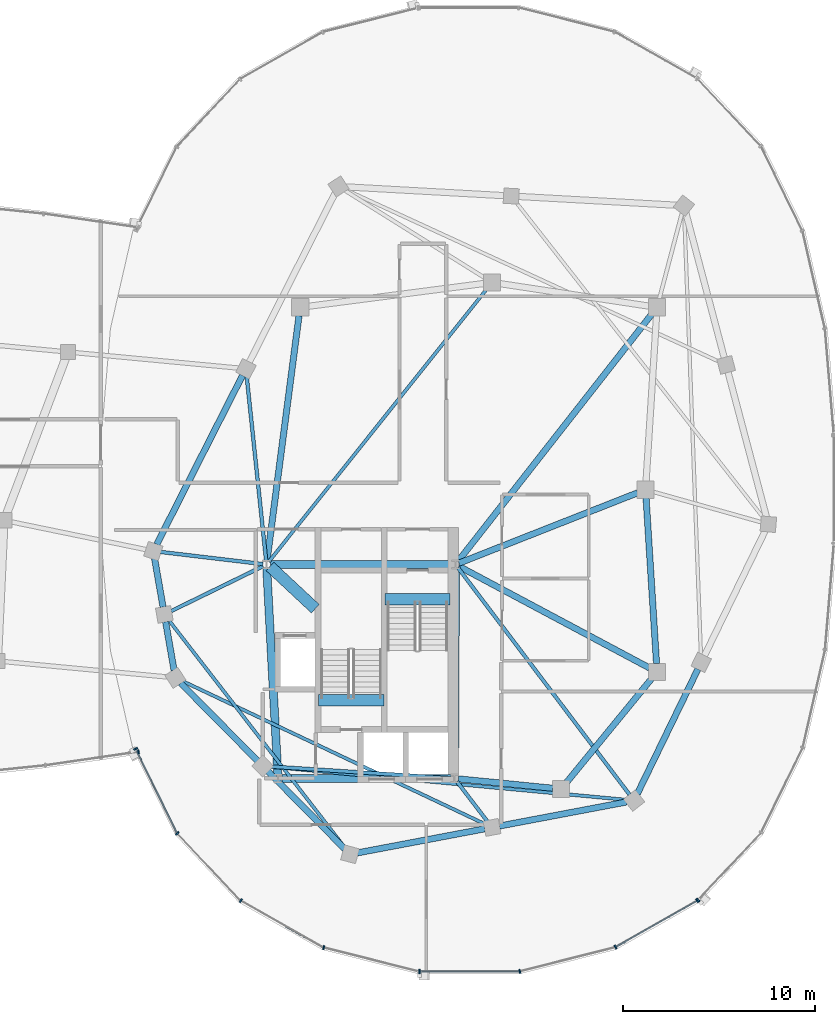
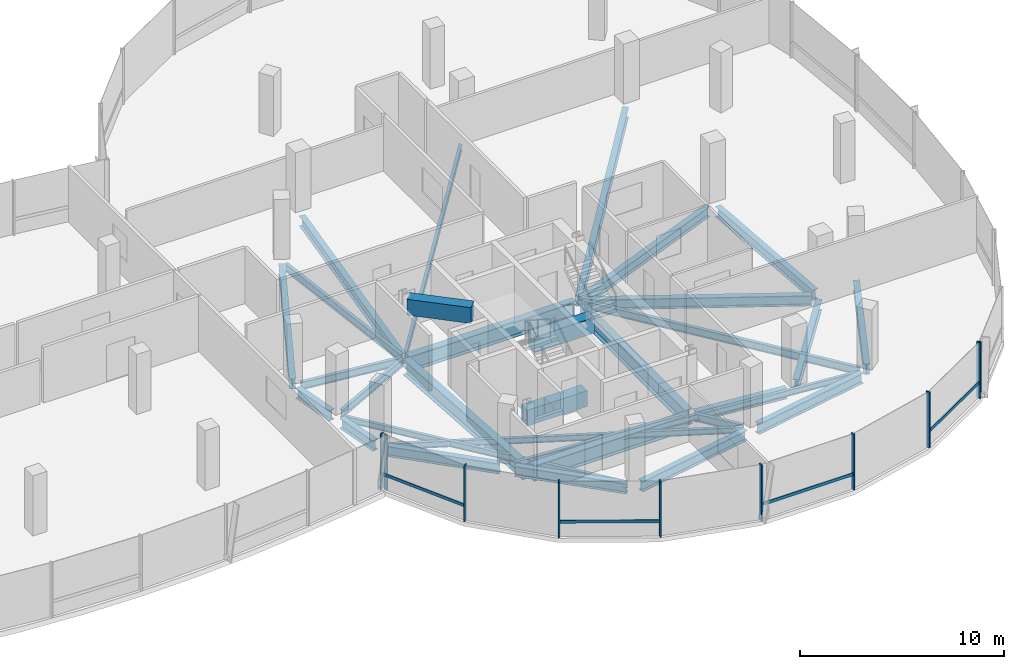
# One storey, part 8 of 25: 32 beams, 14 members, 3 elements without a shape of their own.
"""IFC4 building model written with IfcOpenShell, lengths in metres."""

from ifc_helpers import new_model, si_unit, direction, frame, origin, origin_2d, place, context, subcontext, project, spatial, rectangle, i_section, extrude, material, material_profile, profile_set, type_object, element, aggregate, save


model = new_model("IFC4")

# Units and contexts
model_context = context("Model", 3, precision=1e-05, world=origin(), true_north=direction((0.0, 1.0)))
body_context = subcontext(model_context, "Body", "Model", "MODEL_VIEW")
ifc_project = project(units=[si_unit("LENGTHUNIT", "METRE"), si_unit("AREAUNIT", "SQUARE_METRE"), si_unit("VOLUMEUNIT", "CUBIC_METRE"), si_unit("PLANEANGLEUNIT", "RADIAN"), si_unit("MASSUNIT", "GRAM", prefix="KILO"), si_unit("THERMODYNAMICTEMPERATUREUNIT", "KELVIN"), si_unit("POWERUNIT", "WATT")], contexts=[model_context])

# Site, building, storey
site_placement = place(None, origin())
site = spatial("IfcSite", under=ifc_project, at=site_placement, CompositionType="ELEMENT")
building_placement = place(site_placement, origin())
building = spatial("IfcBuilding", under=site, at=building_placement, Name="Cundina Bronze Exchange", CompositionType="ELEMENT")
storey_placement = place(building_placement, frame((0.0, 0.0, 257.60009765625)))
storey = spatial("IfcBuildingStorey", under=building, at=storey_placement, Name="L68", CompositionType="ELEMENT", Elevation=257.60009765625)

# Beams
ifc_material_1 = material(Name="Concrete C60/75", Category="concrete")
ifc_material_profile_1 = material_profile(ifc_material_1, rectangle(XDim=0.60009765625, YDim=0.949951171875, at=origin_2d()), Name="RC600X950", Category="concrete")
ifc_profile_set_1 = profile_set([ifc_material_profile_1], Name="Concrete C60/75")
beam_type_1 = type_object("IfcBeamType", Name="BM-COUP-RC950", PredefinedType="LINTEL", material=ifc_profile_set_1)
beam_1_placement = place(storey_placement, frame((27.6201171875, -5.719970703125, -0.47509765625), z_axis=(1.0, 0.0, 0.0), x_axis=(0.0, 1.0, 0.0)))
element("IfcBeam", 1, at=beam_1_placement, inside=storey, type_object=beam_type_1, Name="L68 Stair E1 Landing Header Beam", PredefinedType="LINTEL", context=body_context, shape_type="SweptSolid", body=[
    extrude(rectangle(XDim=0.60009765625, YDim=0.949951171875, at=origin_2d()), origin(), (0.0, 0.0, 1.0), 3.39990234375),
])
beam_2_placement = place(storey_placement, frame((24.159912109375, -10.97998046875, -0.47509765625), z_axis=(1.0, 0.0, 0.0), x_axis=(0.0, 1.0, 0.0)))
element("IfcBeam", 2, at=beam_2_placement, inside=storey, type_object=beam_type_1, Name="L68 Stair E2 Landing Header Beam", PredefinedType="LINTEL", context=body_context, shape_type="SweptSolid", body=[
    extrude(rectangle(XDim=0.60009765625, YDim=0.949951171875, at=origin_2d()), origin(), (0.0, 0.0, 1.0), 3.400146484375),
])
beam_3_placement = place(storey_placement, frame((21.6298828125, -4.0, 2.864990234375), z_axis=(0.731490439815, -0.681851696822, 0.0), x_axis=(0.681851696822, 0.731490439815, 0.0)))
element("IfcBeam", 3, at=beam_3_placement, inside=storey, type_object=beam_type_1, Name="L68 E Core Shear Coupling Lintel Beam", PredefinedType="LINTEL", context=body_context, shape_type="SweptSolid", body=[
    extrude(rectangle(XDim=0.60009765625, YDim=0.949951171875, at=origin_2d()), origin(), (0.0, 0.0, 1.0), 3.226318359375),
])
ifc_material_2 = material(Name="Steel ASTM A992 Grade 50", Category="steel")
ifc_material_profile_2 = material_profile(ifc_material_2, i_section(OverallWidth=0.19091796875, OverallDepth=0.4599609375, WebThickness=0.010009765625, FlangeThickness=0.01611328125, FilletRadius=0.011962890625, at=origin_2d()), Name="W18X55", Category="steel")
ifc_profile_set_2 = profile_set([ifc_material_profile_2], Name="Steel ASTM A992 Grade 50")
beam_type_2 = type_object("IfcBeamType", Name="BM-FLR-W18B", PredefinedType="BEAM", material=ifc_profile_set_2)
beam_4_placement = place(storey_placement, frame((21.25537109375, -3.876953125, -0.489990234375), z_axis=(-0.993031892142, 0.117845921393, 0.0), x_axis=(-0.117845921393, -0.993031892142, 0.0)))
element("IfcBeam", 4, at=beam_4_placement, inside=storey, type_object=beam_type_2, Name="L68 Leg E Chordal Floor Beam 00", PredefinedType="BEAM", context=body_context, shape_type="SweptSolid", body=[
    extrude(i_section(OverallWidth=0.19091796875, OverallDepth=0.4599609375, WebThickness=0.010009765625, FlangeThickness=0.01611328125, FilletRadius=0.011962890625, at=origin_2d()), origin(), (0.0, 0.0, 1.0), 5.357421875),
])
beam_5_placement = place(storey_placement, frame((21.27392578125, -3.986083984375, -0.489990234375), z_axis=(-0.898610260891, -0.438747762412, 0.0), x_axis=(0.438747762412, -0.898610260891, 0.0)))
element("IfcBeam", 5, at=beam_5_placement, inside=storey, type_object=beam_type_2, Name="L68 Leg E Chordal Floor Beam 01", PredefinedType="BEAM", context=body_context, shape_type="SweptSolid", body=[
    extrude(i_section(OverallWidth=0.19091796875, OverallDepth=0.4599609375, WebThickness=0.010009765625, FlangeThickness=0.01611328125, FilletRadius=0.011962890625, at=origin_2d()), origin(), (0.0, 0.0, 1.0), 5.341796875),
])
beam_6_placement = place(storey_placement, frame((31.054443359375, -15.037353515625, -0.489990234375), z_axis=(-0.997894580734, 0.064856809527, 0.0), x_axis=(-0.064856809527, -0.997894580734, 0.0)))
element("IfcBeam", 6, at=beam_6_placement, inside=storey, type_object=beam_type_2, Name="L68 Leg E Chordal Floor Beam 03", PredefinedType="BEAM", context=body_context, shape_type="SweptSolid", body=[
    extrude(i_section(OverallWidth=0.19091796875, OverallDepth=0.4599609375, WebThickness=0.010009765625, FlangeThickness=0.01611328125, FilletRadius=0.011962890625, at=origin_2d()), origin(), (0.0, 0.0, 1.0), 9.43701171875),
])
beam_7_placement = place(storey_placement, frame((31.369140625, -15.205810546875, -0.489990234375), z_axis=(0.607470812638, -0.794341999263, 0.0), x_axis=(0.794341999263, 0.607470812638, 0.0)))
element("IfcBeam", 7, at=beam_7_placement, inside=storey, type_object=beam_type_2, Name="L68 Leg E Chordal Floor Beam 05", PredefinedType="BEAM", context=body_context, shape_type="SweptSolid", body=[
    extrude(i_section(OverallWidth=0.19091796875, OverallDepth=0.4599609375, WebThickness=0.010009765625, FlangeThickness=0.01611328125, FilletRadius=0.011962890625, at=origin_2d()), origin(), (0.0, 0.0, 1.0), 2.6259765625),
])
beam_8_placement = place(storey_placement, frame((31.418212890625, -4.056396484375, -0.489990234375), z_axis=(0.603112871583, -0.797655855699, 0.0), x_axis=(0.797655855699, 0.603112871583, 0.0)))
element("IfcBeam", 8, at=beam_8_placement, inside=storey, type_object=beam_type_2, Name="L68 Leg E Chordal Floor Beam 06", PredefinedType="BEAM", context=body_context, shape_type="SweptSolid", body=[
    extrude(i_section(OverallWidth=0.19091796875, OverallDepth=0.4599609375, WebThickness=0.010009765625, FlangeThickness=0.01611328125, FilletRadius=0.011962890625, at=origin_2d()), origin(), (0.0, 0.0, 1.0), 14.8359375),
])
beam_9_placement = place(storey_placement, frame((21.429443359375, -3.705078125, -0.489990234375), z_axis=(-0.10480040809, 0.994493275223, 0.0), x_axis=(-0.994493275223, -0.10480040809, 0.0)))
element("IfcBeam", 9, at=beam_9_placement, inside=storey, type_object=beam_type_2, Name="L68 Leg E Chordal Floor Beam 13", PredefinedType="BEAM", context=body_context, shape_type="SweptSolid", body=[
    extrude(i_section(OverallWidth=0.19091796875, OverallDepth=0.4599609375, WebThickness=0.010009765625, FlangeThickness=0.01611328125, FilletRadius=0.011962890625, at=origin_2d()), origin(), (0.0, 0.0, 1.0), 9.67236328125),
])
ifc_material_profile_3 = material_profile(ifc_material_2, i_section(OverallWidth=0.172119140625, OverallDepth=0.35791015625, WebThickness=0.0078125, FlangeThickness=0.01318359375, FilletRadius=0.010009765625, at=origin_2d()), Name="W14X38", Category="steel")
ifc_profile_set_3 = profile_set([ifc_material_profile_3], Name="Steel ASTM A992 Grade 50")
beam_type_3 = type_object("IfcBeamType", Name="BM-JST-W14", PredefinedType="JOIST", material=ifc_profile_set_3)
beam_10_placement = place(storey_placement, frame((21.572509765625, -3.746826171875, -0.439208984375), z_axis=(0.624364266872, 0.781133319129, 0.0), x_axis=(-0.781133319129, 0.624364266872, 0.0)))
element("IfcBeam", 10, at=beam_10_placement, inside=storey, type_object=beam_type_3, Name="L68 E Interior Core-to-Ring Joist 2", PredefinedType="JOIST", context=body_context, shape_type="SweptSolid", body=[
    extrude(i_section(OverallWidth=0.172119140625, OverallDepth=0.35791015625, WebThickness=0.0078125, FlangeThickness=0.01318359375, FilletRadius=0.010009765625, at=origin_2d()), origin(), (0.0, 0.0, 1.0), 18.184814453125),
])
beam_11_placement = place(storey_placement, frame((16.362548828125, -6.806884765625, -0.439208984375), z_axis=(0.612077855816, -0.790797507849, 0.0), x_axis=(0.790797507849, 0.612077855816, 0.0)))
element("IfcBeam", 11, at=beam_11_placement, inside=storey, type_object=beam_type_3, Name="L68 Leg E Lobe Floor Joist 01-04", PredefinedType="JOIST", context=body_context, shape_type="SweptSolid", body=[
    extrude(i_section(OverallWidth=0.172119140625, OverallDepth=0.35791015625, WebThickness=0.0078125, FlangeThickness=0.01318359375, FilletRadius=0.010009765625, at=origin_2d()), origin(), (0.0, 0.0, 1.0), 15.03076171875),
])
beam_12_placement = place(storey_placement, frame((17.05078125, -9.9658203125, -0.439208984375), z_axis=(0.904073247994, -0.427377540661, 0.0), x_axis=(0.427377540661, 0.904073247994, 0.0)))
element("IfcBeam", 12, at=beam_12_placement, inside=storey, type_object=beam_type_3, Name="L68 Leg E Lobe Floor Joist 02-05", PredefinedType="JOIST", context=body_context, shape_type="SweptSolid", body=[
    extrude(i_section(OverallWidth=0.172119140625, OverallDepth=0.35791015625, WebThickness=0.0078125, FlangeThickness=0.01318359375, FilletRadius=0.010009765625, at=origin_2d()), origin(), (0.0, 0.0, 1.0), 17.474609375),
])
beam_13_placement = place(storey_placement, frame((21.63623046875, -14.435791015625, -0.439208984375), z_axis=(0.995700514338, -0.092630911398, 0.0), x_axis=(0.092630911398, 0.995700514338, 0.0)))
element("IfcBeam", 13, at=beam_13_placement, inside=storey, type_object=beam_type_3, Name="L68 Leg E Lobe Floor Joist 03-06", PredefinedType="JOIST", context=body_context, shape_type="SweptSolid", body=[
    extrude(i_section(OverallWidth=0.172119140625, OverallDepth=0.35791015625, WebThickness=0.0078125, FlangeThickness=0.01318359375, FilletRadius=0.010009765625, at=origin_2d()), origin(), (0.0, 0.0, 1.0), 18.65771484375),
])
ifc_material_profile_4 = material_profile(ifc_material_2, i_section(OverallWidth=0.324951171875, OverallDepth=0.615966796875, WebThickness=0.013916015625, FlangeThickness=0.021484375, FilletRadius=0.01611328125, at=origin_2d()), Name="W24X117", Category="steel")
ifc_profile_set_4 = profile_set([ifc_material_profile_4], Name="Steel ASTM A992 Grade 50")
beam_type_4 = type_object("IfcBeamType", Name="BM-RING-W24", PredefinedType="USERDEFINED", material=ifc_profile_set_4)
beam_14_placement = place(storey_placement, frame((31.445068359375, -15.0693359375, -0.568115234375), z_axis=(0.995123854478, -0.09863323096, 0.0), x_axis=(0.09863323096, 0.995123854478, 0.0)))
element("IfcBeam", 14, at=beam_14_placement, inside=storey, type_object=beam_type_4, Name="L68 E Inner Structural Ring Girder 01", ObjectType="GIRDER", PredefinedType="USERDEFINED", context=body_context, shape_type="SweptSolid", body=[
    extrude(i_section(OverallWidth=0.324951171875, OverallDepth=0.615966796875, WebThickness=0.013916015625, FlangeThickness=0.021484375, FilletRadius=0.01611328125, at=origin_2d()), origin(), (0.0, 0.0, 1.0), 4.943115234375),
])
beam_15_placement = place(storey_placement, frame((37.07763671875, -15.26123046875, -0.568115234375), z_axis=(0.633912590175, 0.77340469873, 0.0), x_axis=(-0.77340469873, 0.633912590175, 0.0)))
element("IfcBeam", 15, at=beam_15_placement, inside=storey, type_object=beam_type_4, Name="L68 E Inner Structural Ring Girder 02", ObjectType="GIRDER", PredefinedType="USERDEFINED", context=body_context, shape_type="SweptSolid", body=[
    extrude(i_section(OverallWidth=0.324951171875, OverallDepth=0.615966796875, WebThickness=0.013916015625, FlangeThickness=0.021484375, FilletRadius=0.01611328125, at=origin_2d()), origin(), (0.0, 0.0, 1.0), 7.01123046875),
])
beam_16_placement = place(storey_placement, frame((41.7724609375, -9.06298828125, -0.568115234375), z_axis=(-0.063046519736, 0.998010589297, 0.0), x_axis=(-0.998010589297, -0.063046519736, 0.0)))
element("IfcBeam", 16, at=beam_16_placement, inside=storey, type_object=beam_type_4, Name="L68 E Inner Structural Ring Girder 03", ObjectType="GIRDER", PredefinedType="USERDEFINED", context=body_context, shape_type="SweptSolid", body=[
    extrude(i_section(OverallWidth=0.324951171875, OverallDepth=0.615966796875, WebThickness=0.013916015625, FlangeThickness=0.021484375, FilletRadius=0.01611328125, at=origin_2d()), origin(), (0.0, 0.0, 1.0), 8.64306640625),
])
beam_17_placement = place(storey_placement, frame((23.143310546875, 9.065673828125, -0.568115234375), z_axis=(-0.129501251979, -0.991579258424, 0.0), x_axis=(0.991579258424, -0.129501251979, 0.0)))
element("IfcBeam", 17, at=beam_17_placement, inside=storey, type_object=beam_type_4, Name="L68 E Inner Structural Ring Girder 07", ObjectType="GIRDER", PredefinedType="USERDEFINED", context=body_context, shape_type="SweptSolid", body=[
    extrude(i_section(OverallWidth=0.324951171875, OverallDepth=0.615966796875, WebThickness=0.013916015625, FlangeThickness=0.021484375, FilletRadius=0.01611328125, at=origin_2d()), origin(), (0.0, 0.0, 1.0), 12.8798828125),
])
beam_18_placement = place(storey_placement, frame((31.482421875, -3.828125, -0.568115234375), z_axis=(0.930404106569, 0.366535398673, 0.0), x_axis=(-0.366535398673, 0.930404106569, 0.0)))
element("IfcBeam", 18, at=beam_18_placement, inside=storey, type_object=beam_type_4, Name="L68 E Core-to-Waist Tie Beam 1", ObjectType="GIRDER", PredefinedType="USERDEFINED", context=body_context, shape_type="SweptSolid", body=[
    extrude(i_section(OverallWidth=0.324951171875, OverallDepth=0.615966796875, WebThickness=0.013916015625, FlangeThickness=0.021484375, FilletRadius=0.01611328125, at=origin_2d()), origin(), (0.0, 0.0, 1.0), 10.00634765625),
])
beam_19_placement = place(storey_placement, frame((31.472900390625, -3.9921875, -0.568115234375), z_axis=(0.882350541683, -0.470592734317, 0.0), x_axis=(0.470592734317, 0.882350541683, 0.0)))
element("IfcBeam", 19, at=beam_19_placement, inside=storey, type_object=beam_type_4, Name="L68 E Core-to-Waist Tie Beam 2", ObjectType="GIRDER", PredefinedType="USERDEFINED", context=body_context, shape_type="SweptSolid", body=[
    extrude(i_section(OverallWidth=0.324951171875, OverallDepth=0.615966796875, WebThickness=0.013916015625, FlangeThickness=0.021484375, FilletRadius=0.01611328125, at=origin_2d()), origin(), (0.0, 0.0, 1.0), 11.26611328125),
])
beam_20_placement = place(storey_placement, frame((31.4208984375, -3.74560546875, -0.568115234375), z_axis=(0.616782900053, 0.787133314123, 0.0), x_axis=(-0.787133314123, 0.616782900053, 0.0)))
element("IfcBeam", 20, at=beam_20_placement, inside=storey, type_object=beam_type_4, Name="L68 E Core-to-Waist Tie Beam 3", ObjectType="GIRDER", PredefinedType="USERDEFINED", context=body_context, shape_type="SweptSolid", body=[
    extrude(i_section(OverallWidth=0.324951171875, OverallDepth=0.615966796875, WebThickness=0.013916015625, FlangeThickness=0.021484375, FilletRadius=0.01611328125, at=origin_2d()), origin(), (0.0, 0.0, 1.0), 16.3896484375),
])
for number, where, z_axis, x_axis, name in (
    (21, (15.61669921875, -3.582275390625, -0.568115234375), (0.171593362587, -0.985167862811, 0.0), (0.985167862811, 0.171593362587, 0.0), "L68 E Perimeter Ring Girder 00"),
    (22, (16.191650390625, -6.882080078125, -0.568115234375), (0.171593362587, -0.985167862811, 0.0), (0.985167862811, 0.171593362587, 0.0), "L68 E Perimeter Ring Girder 01"),
):
    element("IfcBeam", number, at=place(storey_placement, frame(where, z_axis=z_axis, x_axis=x_axis)), inside=storey, type_object=beam_type_4, Name=name, ObjectType="GIRDER", PredefinedType="USERDEFINED", context=body_context, shape_type="SweptSolid", body=[
        extrude(i_section(OverallWidth=0.324951171875, OverallDepth=0.615966796875, WebThickness=0.013916015625, FlangeThickness=0.021484375, FilletRadius=0.01611328125, at=origin_2d()), origin(), (0.0, 0.0, 1.0), 2.57373046875),
    ])
beam_21_placement = place(storey_placement, frame((16.972900390625, -10.075927734375, -0.568115234375), z_axis=(0.703237257446, -0.710955244541, 0.0), x_axis=(0.710955244541, 0.703237257446, 0.0)))
element("IfcBeam", 23, at=beam_21_placement, inside=storey, type_object=beam_type_4, Name="L68 E Perimeter Ring Girder 02", ObjectType="GIRDER", PredefinedType="USERDEFINED", context=body_context, shape_type="SweptSolid", body=[
    extrude(i_section(OverallWidth=0.324951171875, OverallDepth=0.615966796875, WebThickness=0.013916015625, FlangeThickness=0.021484375, FilletRadius=0.01611328125, at=origin_2d()), origin(), (0.0, 0.0, 1.0), 5.69384765625),
])
beam_22_placement = place(storey_placement, frame((21.52294921875, -14.67578125, -0.568115234375), z_axis=(0.703215820204, -0.710976448425, 0.0), x_axis=(0.710976448425, 0.703215820204, 0.0)))
element("IfcBeam", 24, at=beam_22_placement, inside=storey, type_object=beam_type_4, Name="L68 E Perimeter Ring Girder 03", ObjectType="GIRDER", PredefinedType="USERDEFINED", context=body_context, shape_type="SweptSolid", body=[
    extrude(i_section(OverallWidth=0.324951171875, OverallDepth=0.615966796875, WebThickness=0.013916015625, FlangeThickness=0.021484375, FilletRadius=0.01611328125, at=origin_2d()), origin(), (0.0, 0.0, 1.0), 5.694091796875),
])
beam_23_placement = place(storey_placement, frame((26.18115234375, -18.927978515625, -0.568115234375), z_axis=(0.982568104771, 0.185902984072, 0.0), x_axis=(-0.185902984072, 0.982568104771, 0.0)))
element("IfcBeam", 25, at=beam_23_placement, inside=storey, type_object=beam_type_4, Name="L68 E Perimeter Ring Girder 04", ObjectType="GIRDER", PredefinedType="USERDEFINED", context=body_context, shape_type="SweptSolid", body=[
    extrude(i_section(OverallWidth=0.324951171875, OverallDepth=0.615966796875, WebThickness=0.013916015625, FlangeThickness=0.021484375, FilletRadius=0.01611328125, at=origin_2d()), origin(), (0.0, 0.0, 1.0), 6.75537109375),
])
beam_24_placement = place(storey_placement, frame((33.581298828125, -17.52783203125, -0.568115234375), z_axis=(0.982573456977, 0.185874693392, 0.0), x_axis=(-0.185874693392, 0.982573456977, 0.0)))
element("IfcBeam", 26, at=beam_24_placement, inside=storey, type_object=beam_type_4, Name="L68 E Perimeter Ring Girder 05", ObjectType="GIRDER", PredefinedType="USERDEFINED", context=body_context, shape_type="SweptSolid", body=[
    extrude(i_section(OverallWidth=0.324951171875, OverallDepth=0.615966796875, WebThickness=0.013916015625, FlangeThickness=0.021484375, FilletRadius=0.01611328125, at=origin_2d()), origin(), (0.0, 0.0, 1.0), 6.755126953125),
])
beam_25_placement = place(storey_placement, frame((40.76953125, -15.85107421875, -0.568115234375), z_axis=(0.437216986791, 0.899356050995, 0.0), x_axis=(-0.899356050995, 0.437216986791, 0.0)))
element("IfcBeam", 27, at=beam_25_placement, inside=storey, type_object=beam_type_4, Name="L68 E Perimeter Ring Girder 06", ObjectType="GIRDER", PredefinedType="USERDEFINED", context=body_context, shape_type="SweptSolid", body=[
    extrude(i_section(OverallWidth=0.324951171875, OverallDepth=0.615966796875, WebThickness=0.013916015625, FlangeThickness=0.021484375, FilletRadius=0.01611328125, at=origin_2d()), origin(), (0.0, 0.0, 1.0), 7.2294921875),
])
beam_26_placement = place(storey_placement, frame((20.19921875, 5.9541015625, -0.568115234375), z_axis=(-0.452839263805, -0.891592171991, 0.0), x_axis=(0.891592171991, -0.452839263805, 0.0)))
element("IfcBeam", 28, at=beam_26_placement, inside=storey, type_object=beam_type_4, Name="L68 E Perimeter Ring Girder 13", ObjectType="GIRDER", PredefinedType="USERDEFINED", context=body_context, shape_type="SweptSolid", body=[
    extrude(i_section(OverallWidth=0.324951171875, OverallDepth=0.615966796875, WebThickness=0.013916015625, FlangeThickness=0.021484375, FilletRadius=0.01611328125, at=origin_2d()), origin(), (0.0, 0.0, 1.0), 9.879150390625),
])
ifc_material_profile_5 = material_profile(ifc_material_2, i_section(OverallWidth=0.41796875, OverallDepth=0.927001953125, WebThickness=0.019287109375, FlangeThickness=0.031982421875, FilletRadius=0.02392578125, at=origin_2d()), Name="W36X231", Category="steel")
ifc_profile_set_5 = profile_set([ifc_material_profile_5], Name="Steel ASTM A992 Grade 50")
beam_type_5 = type_object("IfcBeamType", Name="BM-WRN-W36B", PredefinedType="USERDEFINED", material=ifc_profile_set_5)
beam_27_placement = place(storey_placement, frame((31.10400390625, -3.89990234375, -0.7236328125), z_axis=(-1.0, 0.0, 0.0), x_axis=(0.0, -1.0, 0.0)))
element("IfcBeam", 29, at=beam_27_placement, inside=storey, type_object=beam_type_5, Name="L68 E Core Perimeter Tie Girder 1", ObjectType="GIRDER", PredefinedType="USERDEFINED", context=body_context, shape_type="SweptSolid", body=[
    extrude(i_section(OverallWidth=0.41796875, OverallDepth=0.927001953125, WebThickness=0.019287109375, FlangeThickness=0.031982421875, FilletRadius=0.02392578125, at=origin_2d()), origin(), (0.0, 0.0, 1.0), 9.4580078125),
])
beam_28_placement = place(storey_placement, frame((21.46044921875, -4.095703125, -0.7236328125), z_axis=(0.053749317644, -0.998554460634, 0.0), x_axis=(0.998554460634, 0.053749317644, 0.0)))
element("IfcBeam", 30, at=beam_28_placement, inside=storey, type_object=beam_type_5, Name="L68 E Core Perimeter Tie Girder 2", ObjectType="GIRDER", PredefinedType="USERDEFINED", context=body_context, shape_type="SweptSolid", body=[
    extrude(i_section(OverallWidth=0.41796875, OverallDepth=0.927001953125, WebThickness=0.019287109375, FlangeThickness=0.031982421875, FilletRadius=0.02392578125, at=origin_2d()), origin(), (0.0, 0.0, 1.0), 10.774169921875),
])
beam_29_placement = place(storey_placement, frame((22.24609375, -15.050048828125, -0.7236328125), z_axis=(1.0, 0.0, 0.0), x_axis=(0.0, 1.0, 0.0)))
element("IfcBeam", 31, at=beam_29_placement, inside=storey, type_object=beam_type_5, Name="L68 E Core Perimeter Tie Girder 3", ObjectType="GIRDER", PredefinedType="USERDEFINED", context=body_context, shape_type="SweptSolid", body=[
    extrude(i_section(OverallWidth=0.41796875, OverallDepth=0.927001953125, WebThickness=0.019287109375, FlangeThickness=0.031982421875, FilletRadius=0.02392578125, at=origin_2d()), origin(), (0.0, 0.0, 1.0), 8.807861328125),
])
beam_30_placement = place(storey_placement, frame((31.2509765625, -14.85400390625, -0.7236328125), z_axis=(0.004470623654, 0.999990006712, 0.0), x_axis=(-0.999990006712, 0.004470623654, 0.0)))
element("IfcBeam", 32, at=beam_30_placement, inside=storey, type_object=beam_type_5, Name="L68 E Core Perimeter Tie Girder 4", ObjectType="GIRDER", PredefinedType="USERDEFINED", context=body_context, shape_type="SweptSolid", body=[
    extrude(i_section(OverallWidth=0.41796875, OverallDepth=0.927001953125, WebThickness=0.019287109375, FlangeThickness=0.031982421875, FilletRadius=0.02392578125, at=origin_2d()), origin(), (0.0, 0.0, 1.0), 10.758056640625),
])

# Curtain wall, members
ifc_material_3 = material(Name="Anodised Bronze Aluminium 6063-T6", Category="aluminium")
curtain_wall_type = type_object("IfcCurtainWallType", Name="CWS-SKG-BRG", PredefinedType="NOTDEFINED", material=ifc_material_3)
curtain_wall_1_placement = place(storey_placement, origin())
curtain_wall_1 = element("IfcCurtainWall", 33, at=curtain_wall_1_placement, inside=storey, type_object=curtain_wall_type, Name="L68 CW-06 Curtain Wall Run CWR-L68-E3", PredefinedType="NOTDEFINED")
ifc_material_profile_6 = material_profile(ifc_material_3, rectangle(XDim=0.074951171875, YDim=0.219970703125, at=origin_2d()), Name="AL75X220", Category="aluminium")
ifc_profile_set_6 = profile_set([ifc_material_profile_6], Name="Anodised Bronze Aluminium 6063-T6")
member_type_1 = type_object("IfcMemberType", Name="CWM-MUL-220", PredefinedType="MULLION", material=ifc_profile_set_6)
member_1_placement = place(storey_placement, frame((14.630859375, -13.50390625, 0.0), z_axis=(0.0, 0.0, 1.0), x_axis=(0.440566004113, -0.897720221461, 0.0)))
member_1 = element("IfcMember", 34, at=member_1_placement, type_object=member_type_1, Name="CW-06 Mullion 1", PredefinedType="MULLION", context=body_context, shape_type="SweptSolid", body=[
    extrude(rectangle(XDim=0.074951171875, YDim=0.219970703125, at=origin_2d()), origin(), (0.0, 0.0, 1.0), 3.33984375),
])
member_2_placement = place(storey_placement, frame((16.8037109375, -17.910400390625, 0.0), z_axis=(0.0, 0.0, 1.0), x_axis=(0.684292606175, -0.729207535023, 0.0)))
member_2 = element("IfcMember", 35, at=member_2_placement, type_object=member_type_1, Name="CW-06 Mullion 2", PredefinedType="MULLION", context=body_context, shape_type="SweptSolid", body=[
    extrude(rectangle(XDim=0.074951171875, YDim=0.219970703125, at=origin_2d()), origin(), (0.0, 0.0, 1.0), 3.33984375),
])
member_3_placement = place(storey_placement, frame((20.11083984375, -21.419921875, 0.0), z_axis=(0.0, 0.0, 1.0), x_axis=(0.86958112538, -0.493790103568, 0.0)))
member_3 = element("IfcMember", 36, at=member_3_placement, type_object=member_type_1, Name="CW-06 Mullion 3", PredefinedType="MULLION", context=body_context, shape_type="SweptSolid", body=[
    extrude(rectangle(XDim=0.074951171875, YDim=0.219970703125, at=origin_2d()), origin(), (0.0, 0.0, 1.0), 3.33984375),
])
member_4_placement = place(storey_placement, frame((24.4296875, -23.86181640625, 0.0), z_axis=(0.0, 0.0, 1.0), x_axis=(0.969744325821, -0.244122802168, 0.0)))
member_4 = element("IfcMember", 37, at=member_4_placement, type_object=member_type_1, Name="CW-06 Mullion 4", PredefinedType="MULLION", context=body_context, shape_type="SweptSolid", body=[
    extrude(rectangle(XDim=0.074951171875, YDim=0.219970703125, at=origin_2d()), origin(), (0.0, 0.0, 1.0), 3.33984375),
])
member_5_placement = place(storey_placement, frame((29.423583984375, -25.110107421875, 0.0), z_axis=(0.0, 0.0, 1.0), x_axis=(1.0, 0.0, 0.0)))
member_5 = element("IfcMember", 38, at=member_5_placement, type_object=member_type_1, Name="CW-06 Mullion 5", PredefinedType="MULLION", context=body_context, shape_type="SweptSolid", body=[
    extrude(rectangle(XDim=0.074951171875, YDim=0.219970703125, at=origin_2d()), origin(), (0.0, 0.0, 1.0), 3.33984375),
])
member_6_placement = place(storey_placement, frame((34.648193359375, -25.10107421875, 0.0), z_axis=(0.0, 0.0, 1.0), x_axis=(0.969744325821, 0.244122802168, 0.0)))
member_6 = element("IfcMember", 39, at=member_6_placement, type_object=member_type_1, Name="CW-06 Mullion 6", PredefinedType="MULLION", context=body_context, shape_type="SweptSolid", body=[
    extrude(rectangle(XDim=0.074951171875, YDim=0.219970703125, at=origin_2d()), origin(), (0.0, 0.0, 1.0), 3.33984375),
])
member_7_placement = place(storey_placement, frame((39.634521484375, -23.8359375, 0.0), z_axis=(0.0, 0.0, 1.0), x_axis=(0.86958112538, 0.493790103568, 0.0)))
member_7 = element("IfcMember", 40, at=member_7_placement, type_object=member_type_1, Name="CW-06 Mullion 7", PredefinedType="MULLION", context=body_context, shape_type="SweptSolid", body=[
    extrude(rectangle(XDim=0.074951171875, YDim=0.219970703125, at=origin_2d()), origin(), (0.0, 0.0, 1.0), 3.33984375),
])
member_8_placement = place(storey_placement, frame((43.88916015625, -21.419921875, 0.0), z_axis=(0.0, 0.0, 1.0), x_axis=(0.86958112538, 0.493790103568, 0.0)))
member_8 = element("IfcMember", 41, at=member_8_placement, type_object=member_type_1, Name="CW-06 End Mullion", PredefinedType="MULLION", context=body_context, shape_type="SweptSolid", body=[
    extrude(rectangle(XDim=0.074951171875, YDim=0.219970703125, at=origin_2d()), origin(), (0.0, 0.0, 1.0), 3.33984375),
])

# Curtain wall, member
curtain_wall_2_placement = place(storey_placement, origin())
curtain_wall_2 = element("IfcCurtainWall", 42, at=curtain_wall_2_placement, inside=storey, type_object=curtain_wall_type, Name="L68 CW-06 Curtain Wall Run CWR-L68-E4", PredefinedType="NOTDEFINED")
member_9_placement = place(storey_placement, frame((43.940185546875, -21.3798828125, 0.0), z_axis=(0.0, 0.0, 1.0), x_axis=(0.684292606175, 0.729207535023, 0.0)))
member_9 = element("IfcMember", 43, at=member_9_placement, type_object=member_type_1, Name="CW-06 Mullion 1", PredefinedType="MULLION", context=body_context, shape_type="SweptSolid", body=[
    extrude(rectangle(XDim=0.074951171875, YDim=0.219970703125, at=origin_2d()), origin(), (0.0, 0.0, 1.0), 3.33984375),
])
aggregate(curtain_wall_2, [member_9])

curtain_wall_3_placement = place(storey_placement, origin())
curtain_wall_3 = element("IfcCurtainWall", 44, at=curtain_wall_3_placement, inside=storey, type_object=curtain_wall_type, Name="L68 CW-06 Curtain Wall Run CWR-L68-BRGS", PredefinedType="NOTDEFINED")
member_10_placement = place(storey_placement, frame((14.779296875, -13.658935546875, 0.0), z_axis=(0.0, 0.0, 1.0), x_axis=(0.989525789069, 0.144356201001, 0.0)))
member_10 = element("IfcMember", 45, at=member_10_placement, type_object=member_type_1, Name="CW-06 End Mullion", PredefinedType="MULLION", context=body_context, shape_type="SweptSolid", body=[
    extrude(rectangle(XDim=0.074951171875, YDim=0.219970703125, at=origin_2d()), origin(), (0.0, 0.0, 1.0), 3.27978515625),
])
aggregate(curtain_wall_3, [member_10])

# Member
ifc_material_profile_7 = material_profile(ifc_material_3, rectangle(XDim=0.070068359375, YDim=0.179931640625, at=origin_2d()), Name="AL70X180", Category="aluminium")
ifc_profile_set_7 = profile_set([ifc_material_profile_7], Name="Anodised Bronze Aluminium 6063-T6")
member_type_2 = type_object("IfcMemberType", Name="CWM-TRN-180", PredefinedType="USERDEFINED", material=ifc_profile_set_7)
member_11_placement = place(storey_placement, frame((14.64892578125, -13.541015625, 0.919921875), z_axis=(0.440554408939, -0.897725911826, 0.0), x_axis=(0.897725911826, 0.440554408939, 0.0)))
member_11 = element("IfcMember", 46, at=member_11_placement, type_object=member_type_2, Name="CW-06 Spandrel Transom 1", ObjectType="TRANSOM", PredefinedType="USERDEFINED", context=body_context, shape_type="SweptSolid", body=[
    extrude(rectangle(XDim=0.070068359375, YDim=0.179931640625, at=origin_2d()), origin(), (0.0, 0.0, 1.0), 4.848388671875),
])

member_12_placement = place(storey_placement, frame((20.146728515625, -21.440185546875, 0.919921875), z_axis=(0.869557366176, -0.493831941989, 0.0), x_axis=(0.493831941989, 0.869557366176, 0.0)))
member_12 = element("IfcMember", 47, at=member_12_placement, type_object=member_type_2, Name="CW-06 Spandrel Transom 3", ObjectType="TRANSOM", PredefinedType="USERDEFINED", context=body_context, shape_type="SweptSolid", body=[
    extrude(rectangle(XDim=0.070068359375, YDim=0.179931640625, at=origin_2d()), origin(), (0.0, 0.0, 1.0), 4.892822265625),
])

member_13_placement = place(storey_placement, frame((29.464599609375, -25.110107421875, 0.919921875), z_axis=(1.0, 0.0, 0.0), x_axis=(0.0, 1.0, 0.0)))
member_13 = element("IfcMember", 48, at=member_13_placement, type_object=member_type_2, Name="CW-06 Spandrel Transom 5", ObjectType="TRANSOM", PredefinedType="USERDEFINED", context=body_context, shape_type="SweptSolid", body=[
    extrude(rectangle(XDim=0.070068359375, YDim=0.179931640625, at=origin_2d()), origin(), (0.0, 0.0, 1.0), 5.1533203125),
])

member_14_placement = place(storey_placement, frame((39.67041015625, -23.815673828125, 0.919921875), z_axis=(0.869558105282, 0.493830640542, 0.0), x_axis=(-0.493830640542, 0.869558105282, 0.0)))
member_14 = element("IfcMember", 49, at=member_14_placement, type_object=member_type_2, Name="CW-06 Spandrel Transom 7", ObjectType="TRANSOM", PredefinedType="USERDEFINED", context=body_context, shape_type="SweptSolid", body=[
    extrude(rectangle(XDim=0.070068359375, YDim=0.179931640625, at=origin_2d()), origin(), (0.0, 0.0, 1.0), 4.810302734375),
])

aggregate(curtain_wall_1, [member_1, member_11, member_2, member_3, member_12, member_4, member_5, member_13, member_6, member_7, member_8, member_14])

save(model, "model.ifc")
